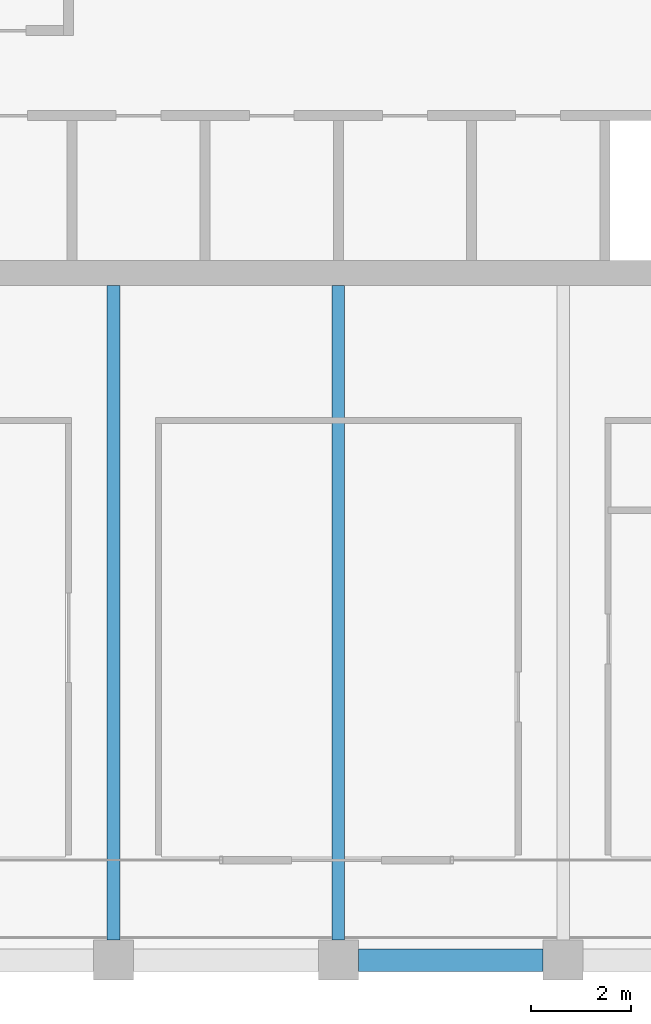
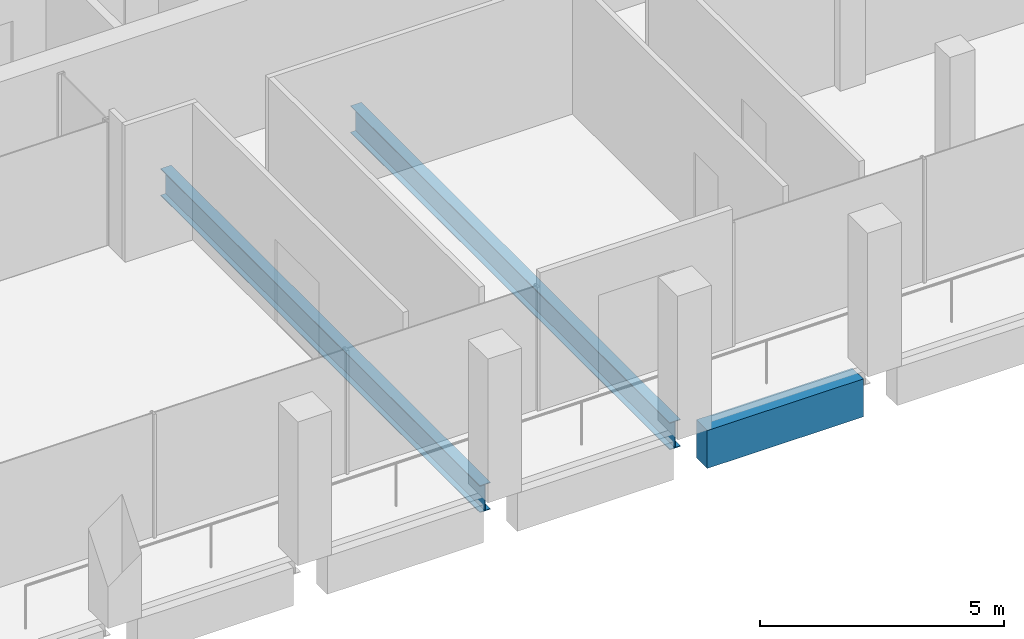
# One storey, part 8 of 41: 3 beams.
"""IFC4 building model written with IfcOpenShell, lengths in metres."""

from ifc_helpers import new_model, si_unit, direction, frame, origin, origin_2d, place, context, subcontext, project, spatial, rectangle, i_section, extrude, material, material_profile, profile_set, type_object, element, save


model = new_model("IFC4")

# Units and contexts
model_context = context("Model", 3, precision=1e-05, world=origin(), true_north=direction((0.0, 1.0)))
body_context = subcontext(model_context, "Body", "Model", "MODEL_VIEW")
ifc_project = project(units=[si_unit("LENGTHUNIT", "METRE"), si_unit("AREAUNIT", "SQUARE_METRE"), si_unit("VOLUMEUNIT", "CUBIC_METRE"), si_unit("PLANEANGLEUNIT", "RADIAN"), si_unit("MASSUNIT", "GRAM", prefix="KILO")], contexts=[model_context])

# Site, building, storey
site_placement = place(None, origin())
site = spatial("IfcSite", under=ifc_project, at=site_placement, CompositionType="ELEMENT")
building_placement = place(site_placement, origin())
building = spatial("IfcBuilding", under=site, at=building_placement, Name="Altepetl Exchange Towers", CompositionType="ELEMENT")
storey_placement = place(building_placement, frame((0.0, 0.0, 206.39990234375)))
storey = spatial("IfcBuildingStorey", under=building, at=storey_placement, Name="L52", CompositionType="ELEMENT", Elevation=206.39990234375)

# Beams
ifc_material_1 = material(Name="Steel S355", Category="steel")
ifc_material_profile_1 = material_profile(ifc_material_1, i_section(OverallWidth=0.2529296875, OverallDepth=0.677978515625, WebThickness=0.01171875, FlangeThickness=0.016357421875, at=origin_2d()), Name="W27X84")
ifc_profile_set_1 = profile_set([ifc_material_profile_1], Name="Steel S355")
beam_type_1 = type_object("IfcBeamType", Name="Floor beam W27X84", PredefinedType="BEAM", material=ifc_profile_set_1)
for number, where, z_axis, x_axis, name in (
    (1, (45.0, 27.39990234375, -0.489013671875), (0.0, 1.0, 0.0), (-1.0, 0.0, 0.0), "bm:A:L52:015"),
    (2, (49.5, 27.39990234375, -0.489013671875), (0.0, 1.0, 0.0), (-1.0, 0.0, 0.0), "bm:A:L52:016"),
):
    element("IfcBeam", number, at=place(storey_placement, frame(where, z_axis=z_axis, x_axis=x_axis)), inside=storey, type_object=beam_type_1, Name=name, PredefinedType="BEAM", context=body_context, shape_type="SweptSolid", body=[
        extrude(i_section(OverallWidth=0.2529296875, OverallDepth=0.677978515625, WebThickness=0.01171875, FlangeThickness=0.016357421875, at=origin_2d()), origin(), (0.0, 0.0, 1.0), 13.10009765625),
    ])
ifc_material_2 = material(Name="Concrete C50/60 precast with cantera blanca facing", Category="concrete")
ifc_material_profile_2 = material_profile(ifc_material_2, rectangle(XDim=0.449951171875, YDim=0.949951171875, at=origin_2d()), Name="450 x 950")
ifc_profile_set_2 = profile_set([ifc_material_profile_2], Name="Concrete C50/60 precast with cantera blanca facing")
beam_type_2 = type_object("IfcBeamType", Name="Spandrel beam 450x950 cantera blanca", PredefinedType="SPANDREL", material=ifc_profile_set_2)
beam_placement = place(storey_placement, frame((49.89990234375, 27.0, -0.625), z_axis=(1.0, 0.0, 0.0), x_axis=(0.0, 1.0, 0.0)))
element("IfcBeam", 3, at=beam_placement, inside=storey, type_object=beam_type_2, Name="sp:A:L52:004", PredefinedType="SPANDREL", context=body_context, shape_type="SweptSolid", body=[
    extrude(rectangle(XDim=0.449951171875, YDim=0.949951171875, at=origin_2d()), origin(), (0.0, 0.0, 1.0), 3.7001953125),
])

save(model, "model.ifc")
